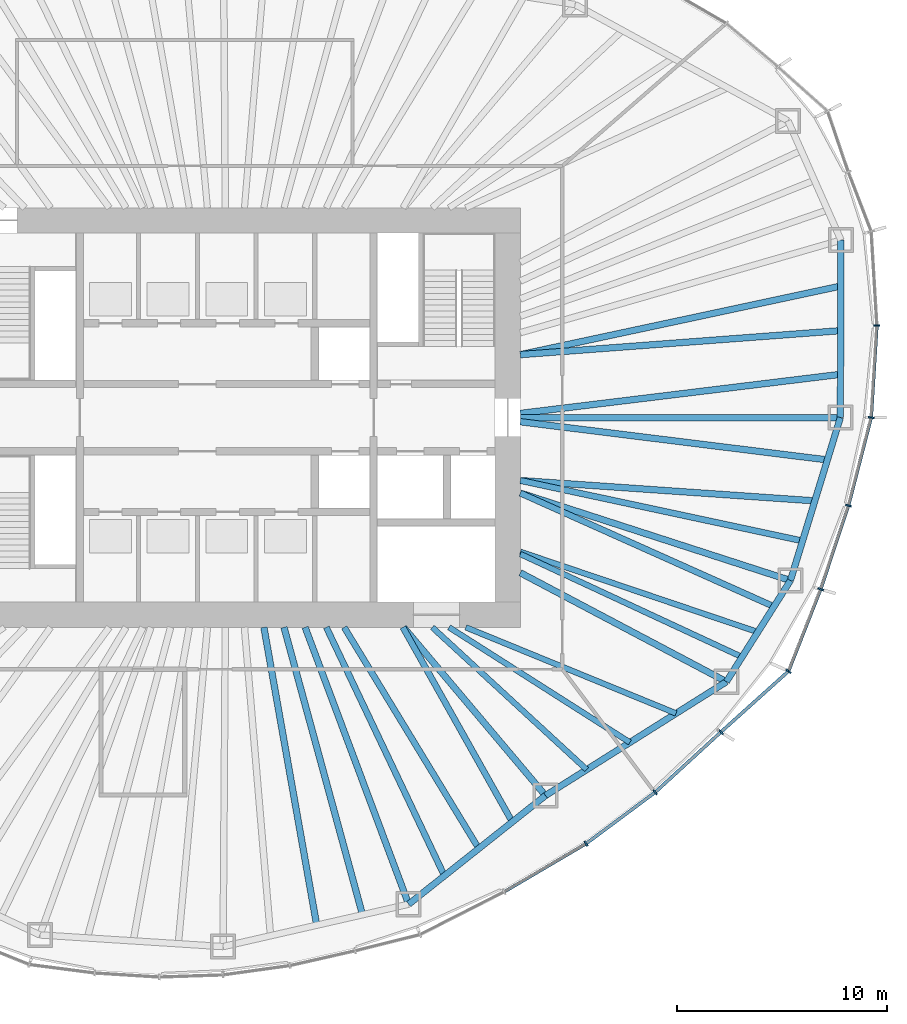
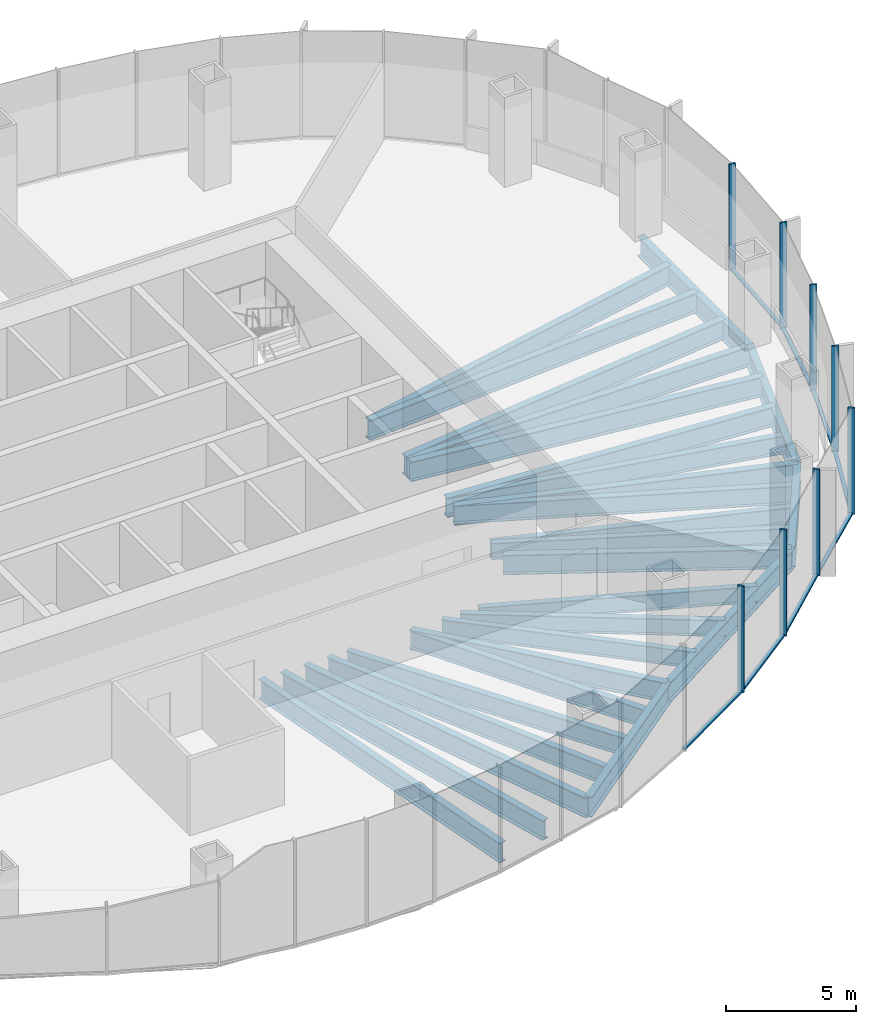
# One storey, part 4 of 18: 27 beams, 16 members, 5 elements without a shape of their own.
"""IFC4 building model written with IfcOpenShell, lengths in metres."""

import ifcopenshell
import ifcopenshell.guid

model = None  # the IFC model being written
_history = None  # IfcOwnerHistory: only IFC2X3 demands one
_inside = {}  # id of a spatial element -> (the spatial element, [elements in it])
_under = {}  # id of a project, library or spatial element -> (it, [spatial elements below it])
_declared = {}  # id of a project -> (the project, [libraries it declares])
_typed = {}  # id of a type object -> (the type object, [elements of that type])
_made_of = {}  # id of a material, layer set ... -> (it, [elements and type objects made of it])


def new_model(schema):
    """Start an empty IFC model of exactly this schema.

    Asked for "IFC4X3", IfcOpenShell would pick the latest addendum, in which some entities
    have other attributes; the version numbers below select the first issue.
    IFC2X3 requires an IfcOwnerHistory on every rooted entity: one is made here for all.
    """
    global model, _history
    if schema == "IFC4X3":
        model = ifcopenshell.file(schema_version=(4, 3, 0, 0))
    else:
        model = ifcopenshell.file(schema=schema)
    _inside.clear()
    _under.clear()
    _declared.clear()
    _typed.clear()
    _made_of.clear()
    _history = None
    if model.schema == "IFC2X3":
        org = make("IfcOrganization", Name="unknown")
        user = make(
            "IfcPersonAndOrganization",
            ThePerson=make("IfcPerson", FamilyName="unknown"),
            TheOrganization=org,
        )
        app = make(
            "IfcApplication",
            ApplicationDeveloper=org,
            Version="unknown",
            ApplicationFullName="unknown",
            ApplicationIdentifier="unknown",
        )
        _history = make(
            "IfcOwnerHistory",
            OwningUser=user,
            OwningApplication=app,
            ChangeAction="ADDED",
            CreationDate=0,
        )
    return model


def make(cls, **values):
    """One entity of the class cls with the attributes given. An attribute that is None is left unset."""
    return model.create_entity(
        cls, **{name: value for name, value in values.items() if value is not None}
    )


def rooted(cls, **values):
    """An entity with a GlobalId (a new one), such as an element, a storey or a relation."""
    return make(cls, GlobalId=ifcopenshell.guid.new(), OwnerHistory=_history, **values)


def si_unit(unit_type, name, prefix=None):
    """IfcSIUnit, for example si_unit("LENGTHUNIT", "METRE", prefix="MILLI")."""
    return make("IfcSIUnit", UnitType=unit_type, Prefix=prefix, Name=name)


def assignment(units):
    """IfcUnitAssignment: the units of a project."""
    return None if units is None else make("IfcUnitAssignment", Units=units)


def point(xyz):
    """IfcCartesianPoint."""
    return None if xyz is None else make("IfcCartesianPoint", Coordinates=xyz)


def direction(xyz):
    """IfcDirection."""
    return None if xyz is None else make("IfcDirection", DirectionRatios=xyz)


def frame(location, z_axis=None, x_axis=None):
    """IfcAxis2Placement3D, a coordinate frame: its origin and axes. An axis left out is left unset."""
    return make(
        "IfcAxis2Placement3D",
        Location=point(location),
        Axis=direction(z_axis),
        RefDirection=direction(x_axis),
    )


def frame_2d(location, x_axis=None):
    """IfcAxis2Placement2D, a coordinate frame in the plane: its origin and x axis."""
    return make(
        "IfcAxis2Placement2D", Location=point(location), RefDirection=direction(x_axis)
    )


def origin():
    """The frame at (0, 0, 0) with its axes left unset."""
    return frame((0.0, 0.0, 0.0))


def origin_2d():
    """The frame at (0, 0) in the plane with its x axis left unset."""
    return frame_2d((0.0, 0.0))


def place(relative_to, where):
    """IfcLocalPlacement: puts the frame where relative to a parent placement (None: the world)."""
    return make(
        "IfcLocalPlacement", PlacementRelTo=relative_to, RelativePlacement=where
    )


def context(
    kind, dimensions, precision=None, world=None, true_north=None, identifier=None
):
    """IfcGeometricRepresentationContext, for example the 3D "Model" context."""
    return make(
        "IfcGeometricRepresentationContext",
        ContextIdentifier=identifier,
        ContextType=kind,
        CoordinateSpaceDimension=dimensions,
        Precision=precision,
        WorldCoordinateSystem=world,
        TrueNorth=true_north,
    )


def subcontext(parent, identifier, kind, view, scale=None):
    """IfcGeometricRepresentationSubContext, for example "Body" below "Model"."""
    return make(
        "IfcGeometricRepresentationSubContext",
        ContextIdentifier=identifier,
        ContextType=kind,
        ParentContext=parent,
        TargetScale=scale,
        TargetView=view,
    )


def project(units=None, contexts=None):
    """IfcProject with its units and contexts."""
    return rooted(
        "IfcProject",
        Name="project",
        RepresentationContexts=contexts,
        UnitsInContext=assignment(units),
    )


def spatial(cls, under=None, at=None, **own):
    """A site, building, storey or space (cls), placed at a placement, below another one or the project."""
    s = rooted(cls, ObjectPlacement=at, **own)
    if under is not None:
        _under.setdefault(under.id(), (under, []))[1].append(s)
    return s


def profile(cls, at=None, kind="AREA", **sizes):
    """A parametric profile (cls). Its sizes go by their IFC names, for example OverallWidth=200.0."""
    return make(cls, ProfileType=kind, Position=at, **sizes)


def rectangle(**sizes):
    """IfcRectangleProfileDef."""
    return profile("IfcRectangleProfileDef", **sizes)


def i_section(**sizes):
    """IfcIShapeProfileDef."""
    return profile("IfcIShapeProfileDef", **sizes)


def extrude(swept, where, along, depth):
    """IfcExtrudedAreaSolid: the profile swept, set in the frame where, extruded along a direction by depth."""
    return make(
        "IfcExtrudedAreaSolid",
        SweptArea=swept,
        Position=where,
        ExtrudedDirection=direction(along),
        Depth=depth,
    )


def shape(context_of_items, identifier, shape_type, items):
    """IfcShapeRepresentation: the items that make up one representation, for example the "Body"."""
    return make(
        "IfcShapeRepresentation",
        ContextOfItems=context_of_items,
        RepresentationIdentifier=identifier,
        RepresentationType=shape_type,
        Items=items,
    )


def material(Name=None, Category=None):
    """IfcMaterial."""
    return make("IfcMaterial", Name=Name, Category=Category)


def material_profile(
    of_material, cross_section, Name=None, Category=None, Priority=None
):
    """IfcMaterialProfile: a cross section and its material."""
    return make(
        "IfcMaterialProfile",
        Name=Name,
        Material=of_material,
        Profile=cross_section,
        Priority=Priority,
        Category=Category,
    )


def profile_set(profiles, Name=None, composite=None):
    """IfcMaterialProfileSet."""
    return make(
        "IfcMaterialProfileSet",
        Name=Name,
        MaterialProfiles=profiles,
        CompositeProfile=composite,
    )


def made_of(thing, what):
    """Note that an element or type object is made of a material, layer set ...; save() writes the relation."""
    if what is not None:
        _made_of.setdefault(what.id(), (what, []))[1].append(thing)
    return thing


def type_object(cls, material=None, **own):
    """A type object (cls), such as IfcWallType, which elements share."""
    return made_of(rooted(cls, **own), material)


def element(
    cls,
    number,
    at=None,
    inside=None,
    cuts=None,
    type_object=None,
    material=None,
    context=None,
    identifier="Body",
    shape_type=None,
    held_by="IfcProductDefinitionShape",
    body=None,
    shapes=None,
    **own,
):
    """One element of the class cls, such as IfcWall. Its Tag is "e" and its number.

    at: its placement. inside: the storey or other place that contains it. cuts: it is an
    opening in that element (IfcRelVoidsElement). A single representation is given by context,
    identifier, shape_type and body (its items); several are given by shapes. held_by: the class
    of the entity that holds the representations. save() writes the other relations.
    """
    e = rooted(cls, Tag="e%d" % number, ObjectPlacement=at, **own)
    if body is not None:
        shapes = [shape(context, identifier, shape_type, body)]
    if shapes is not None:
        e.Representation = make(held_by, Representations=shapes)
    if inside is not None:
        _inside.setdefault(inside.id(), (inside, []))[1].append(e)
    if cuts is not None:
        rooted(
            "IfcRelVoidsElement", RelatingBuildingElement=cuts, RelatedOpeningElement=e
        )
    if type_object is not None:
        _typed.setdefault(type_object.id(), (type_object, []))[1].append(e)
    return made_of(e, material)


def aggregate(whole, parts):
    """IfcRelAggregates: a whole, such as a stair, and the parts it consists of."""
    return rooted("IfcRelAggregates", RelatingObject=whole, RelatedObjects=parts)


def save(model, path):
    """Write the relations noted so far, then the file.

    IfcRelAggregates (storeys below a building ...), IfcRelContainedInSpatialStructure (elements
    in a storey), IfcRelDefinesByType, IfcRelAssociatesMaterial and IfcRelDeclares: one each for
    every whole, place, type object, material and project.
    """
    for whole, parts in _under.values():
        aggregate(whole, parts)
    for where, things in _inside.values():
        rooted(
            "IfcRelContainedInSpatialStructure",
            RelatedElements=things,
            RelatingStructure=where,
        )
    for kind, things in _typed.values():
        rooted("IfcRelDefinesByType", RelatedObjects=things, RelatingType=kind)
    for what, things in _made_of.values():
        rooted("IfcRelAssociatesMaterial", RelatedObjects=things, RelatingMaterial=what)
    for by, libraries in _declared.values():
        rooted("IfcRelDeclares", RelatingContext=by, RelatedDefinitions=libraries)
    model.write(path)


model = new_model("IFC4")

# Units and contexts
model_context = context("Model", 3, precision=1e-05, world=origin(), true_north=direction((0.0, 1.0)))
body_context = subcontext(model_context, "Body", "Model", "MODEL_VIEW")
ifc_project = project(units=[si_unit("LENGTHUNIT", "METRE"), si_unit("AREAUNIT", "SQUARE_METRE"), si_unit("VOLUMEUNIT", "CUBIC_METRE"), si_unit("PLANEANGLEUNIT", "RADIAN"), si_unit("MASSUNIT", "GRAM", prefix="KILO")], contexts=[model_context])

# Site, building, storey
site_placement = place(None, origin())
site = spatial("IfcSite", under=ifc_project, at=site_placement, CompositionType="ELEMENT")
building_placement = place(site_placement, origin())
building = spatial("IfcBuilding", under=site, at=building_placement, Name="Ghaith Harvest Tower", CompositionType="ELEMENT")
storey_placement = place(building_placement, frame((0.0, 0.0, 184.800048828125)))
storey = spatial("IfcBuildingStorey", under=building, at=storey_placement, Name="L40", CompositionType="ELEMENT", Elevation=184.800048828125)

# Curtain wall, members
ifc_material_1 = material(Name="Black anodised aluminium and fritted glass", Category="aluminium")
curtain_wall_type = type_object("IfcCurtainWallType", Name="CW-S CURTAIN WALL", PredefinedType="NOTDEFINED", material=ifc_material_1)
curtain_wall_1_placement = place(storey_placement, origin())
curtain_wall_1 = element("IfcCurtainWall", 1, at=curtain_wall_1_placement, inside=storey, type_object=curtain_wall_type, Name="Curtain wall CW-S bay 01 L40", PredefinedType="NOTDEFINED")
ifc_material_2 = material(Name="Aluminium, black anodised", Category="aluminium")
ifc_material_profile_1 = material_profile(ifc_material_2, rectangle(XDim=0.080078125, YDim=0.280029296875, at=origin_2d()), Name="CW-S MULLION 80x280")
ifc_profile_set_1 = profile_set([ifc_material_profile_1], Name="Aluminium, black anodised")
member_type_1 = type_object("IfcMemberType", Name="CW-S MULLION 80x280", PredefinedType="MULLION", material=ifc_profile_set_1)
member_1_placement = place(storey_placement, frame((30.728759765625, 0.0, 0.0), z_axis=(0.0, 0.0, 1.0), x_axis=(0.155597142981, 0.987820595602, 0.0)))
member_1 = element("IfcMember", 2, at=member_1_placement, type_object=member_type_1, Name="CW-S mullion 1 bay 01 L40", PredefinedType="MULLION", context=body_context, shape_type="SweptSolid", body=[
    extrude(rectangle(XDim=0.080078125, YDim=0.280029296875, at=origin_2d()), origin(), (0.0, 0.0, 1.0), 5.0),
])
member_2_placement = place(storey_placement, frame((30.998779296875, 4.389892578125, 0.0), z_axis=(0.0, 0.0, 1.0), x_axis=(-0.000162467394, 0.999999986802, 0.0)))
member_2 = element("IfcMember", 3, at=member_2_placement, type_object=member_type_1, Name="CW-S mullion 2 bay 01 L40", PredefinedType="MULLION", context=body_context, shape_type="SweptSolid", body=[
    extrude(rectangle(XDim=0.080078125, YDim=0.280029296875, at=origin_2d()), origin(), (0.0, 0.0, 1.0), 5.0),
])

curtain_wall_2_placement = place(storey_placement, origin())
curtain_wall_2 = element("IfcCurtainWall", 4, at=curtain_wall_2_placement, inside=storey, type_object=curtain_wall_type, Name="Curtain wall CW-S bay 18 L40", PredefinedType="NOTDEFINED")
member_3_placement = place(storey_placement, frame((17.1318359375, -20.31591796875, 0.0), z_axis=(0.0, 0.0, 1.0), x_axis=(0.834887453241, 0.550420694035, 0.0)))
member_3 = element("IfcMember", 5, at=member_3_placement, type_object=member_type_1, Name="CW-S mullion 1 bay 18 L40", PredefinedType="MULLION", context=body_context, shape_type="SweptSolid", body=[
    extrude(rectangle(XDim=0.080078125, YDim=0.280029296875, at=origin_2d()), origin(), (0.0, 0.0, 1.0), 5.0),
])
member_4_placement = place(storey_placement, frame((20.4296875, -17.86376953125, 0.0), z_axis=(0.0, 0.0, 1.0), x_axis=(0.770306399656, 0.637673937564, 0.0)))
member_4 = element("IfcMember", 6, at=member_4_placement, type_object=member_type_1, Name="CW-S mullion 2 bay 18 L40", PredefinedType="MULLION", context=body_context, shape_type="SweptSolid", body=[
    extrude(rectangle(XDim=0.080078125, YDim=0.280029296875, at=origin_2d()), origin(), (0.0, 0.0, 1.0), 5.0),
])

curtain_wall_3_placement = place(storey_placement, origin())
curtain_wall_3 = element("IfcCurtainWall", 7, at=curtain_wall_3_placement, inside=storey, type_object=curtain_wall_type, Name="Curtain wall CW-S bay 19 L40", PredefinedType="NOTDEFINED")
member_5_placement = place(storey_placement, frame((23.560546875, -14.994140625, 0.0), z_axis=(0.0, 0.0, 1.0), x_axis=(0.740389054945, 0.672178582906, 0.0)))
member_5 = element("IfcMember", 8, at=member_5_placement, type_object=member_type_1, Name="CW-S mullion 1 bay 19 L40", PredefinedType="MULLION", context=body_context, shape_type="SweptSolid", body=[
    extrude(rectangle(XDim=0.080078125, YDim=0.280029296875, at=origin_2d()), origin(), (0.0, 0.0, 1.0), 5.0),
])
member_6_placement = place(storey_placement, frame((26.786376953125, -12.0927734375, 0.0), z_axis=(0.0, 0.0, 1.0), x_axis=(0.572853476908, 0.819657790785, 0.0)))
member_6 = element("IfcMember", 9, at=member_6_placement, type_object=member_type_1, Name="CW-S mullion 2 bay 19 L40", PredefinedType="MULLION", context=body_context, shape_type="SweptSolid", body=[
    extrude(rectangle(XDim=0.080078125, YDim=0.280029296875, at=origin_2d()), origin(), (0.0, 0.0, 1.0), 5.0),
])

curtain_wall_4_placement = place(storey_placement, origin())
curtain_wall_4 = element("IfcCurtainWall", 10, at=curtain_wall_4_placement, inside=storey, type_object=curtain_wall_type, Name="Curtain wall CW-S bay 20 L40", PredefinedType="NOTDEFINED")
member_7_placement = place(storey_placement, frame((28.319580078125, -8.184814453125, 0.0), z_axis=(0.0, 0.0, 1.0), x_axis=(0.34057402484, 0.94021770543, 0.0)))
member_7 = element("IfcMember", 11, at=member_7_placement, type_object=member_type_1, Name="CW-S mullion 1 bay 20 L40", PredefinedType="MULLION", context=body_context, shape_type="SweptSolid", body=[
    extrude(rectangle(XDim=0.080078125, YDim=0.280029296875, at=origin_2d()), origin(), (0.0, 0.0, 1.0), 5.0),
])
member_8_placement = place(storey_placement, frame((29.64599609375, -4.1982421875, 0.0), z_axis=(0.0, 0.0, 1.0), x_axis=(0.282375140161, 0.959304060358, 0.0)))
member_8 = element("IfcMember", 12, at=member_8_placement, type_object=member_type_1, Name="CW-S mullion 2 bay 20 L40", PredefinedType="MULLION", context=body_context, shape_type="SweptSolid", body=[
    extrude(rectangle(XDim=0.080078125, YDim=0.280029296875, at=origin_2d()), origin(), (0.0, 0.0, 1.0), 5.0),
])

# Member
ifc_material_3 = material(Name="Aluminium, black anodised", Category="aluminium")
ifc_material_profile_2 = material_profile(ifc_material_3, rectangle(XDim=0.159912109375, YDim=0.080078125, at=origin_2d()), Name="CW-S TRANSOM 160x80")
ifc_profile_set_2 = profile_set([ifc_material_profile_2], Name="Aluminium, black anodised")
member_type_2 = type_object("IfcMemberType", Name="CW-S TRANSOM 160x80", PredefinedType="USERDEFINED", material=ifc_profile_set_2)
member_9_placement = place(storey_placement, frame((30.731201171875, 0.0400390625, 0.0400390625), z_axis=(0.061403204251, 0.99811304295, 0.0), x_axis=(-0.99811304295, 0.061403204251, 0.0)))
member_9 = element("IfcMember", 13, at=member_9_placement, type_object=member_type_2, Name="CW-S transom 1 bay 01 L40", ObjectType="TRANSOM", PredefinedType="USERDEFINED", context=body_context, shape_type="SweptSolid", body=[
    extrude(rectangle(XDim=0.159912109375, YDim=0.080078125, at=origin_2d()), origin(), (0.0, 0.0, 1.0), 4.31787109375),
])

aggregate(curtain_wall_1, [member_1, member_9, member_2])

# Curtain wall, member
curtain_wall_5_placement = place(storey_placement, origin())
curtain_wall_5 = element("IfcCurtainWall", 14, at=curtain_wall_5_placement, inside=storey, type_object=curtain_wall_type, Name="Curtain wall CW-S bay 17 L40", PredefinedType="NOTDEFINED")
member_10_placement = place(storey_placement, frame((13.259033203125, -22.59375, 0.0400390625), z_axis=(0.86196381091, 0.506969810424, 0.0), x_axis=(-0.506969810424, 0.86196381091, 0.0)))
member_10 = element("IfcMember", 15, at=member_10_placement, type_object=member_type_2, Name="CW-S transom 2 bay 17 L40", ObjectType="TRANSOM", PredefinedType="USERDEFINED", context=body_context, shape_type="SweptSolid", body=[
    extrude(rectangle(XDim=0.159912109375, YDim=0.080078125, at=origin_2d()), origin(), (0.0, 0.0, 1.0), 4.453125),
])
aggregate(curtain_wall_5, [member_10])

# Member
member_11_placement = place(storey_placement, frame((17.1640625, -20.2919921875, 0.0400390625), z_axis=(0.802465316609, 0.59669876457, 0.0), x_axis=(-0.59669876457, 0.802465316609, 0.0)))
member_11 = element("IfcMember", 16, at=member_11_placement, type_object=member_type_2, Name="CW-S transom 1 bay 18 L40", ObjectType="TRANSOM", PredefinedType="USERDEFINED", context=body_context, shape_type="SweptSolid", body=[
    extrude(rectangle(XDim=0.159912109375, YDim=0.080078125, at=origin_2d()), origin(), (0.0, 0.0, 1.0), 4.029296875),
])

member_12_placement = place(storey_placement, frame((20.459228515625, -17.836669921875, 0.0400390625), z_axis=(0.737197916434, 0.675676869521, 0.0), x_axis=(-0.675676869521, 0.737197916434, 0.0)))
member_12 = element("IfcMember", 17, at=member_12_placement, type_object=member_type_2, Name="CW-S transom 2 bay 18 L40", ObjectType="TRANSOM", PredefinedType="USERDEFINED", context=body_context, shape_type="SweptSolid", body=[
    extrude(rectangle(XDim=0.159912109375, YDim=0.080078125, at=origin_2d()), origin(), (0.0, 0.0, 1.0), 4.166748046875),
])

aggregate(curtain_wall_2, [member_3, member_11, member_4, member_12])

member_13_placement = place(storey_placement, frame((23.59033203125, -14.967529296875, 0.0400390625), z_axis=(0.74346800111, 0.668771509056, 0.0), x_axis=(-0.668771509056, 0.74346800111, 0.0)))
member_13 = element("IfcMember", 18, at=member_13_placement, type_object=member_type_2, Name="CW-S transom 1 bay 19 L40", ObjectType="TRANSOM", PredefinedType="USERDEFINED", context=body_context, shape_type="SweptSolid", body=[
    extrude(rectangle(XDim=0.159912109375, YDim=0.080078125, at=origin_2d()), origin(), (0.0, 0.0, 1.0), 4.2587890625),
])

member_14_placement = place(storey_placement, frame((26.801025390625, -12.055419921875, 0.0400390625), z_axis=(0.365228588652, 0.930917868575, 0.0), x_axis=(-0.930917868575, 0.365228588652, 0.0)))
member_14 = element("IfcMember", 19, at=member_14_placement, type_object=member_type_2, Name="CW-S transom 2 bay 19 L40", ObjectType="TRANSOM", PredefinedType="USERDEFINED", context=body_context, shape_type="SweptSolid", body=[
    extrude(rectangle(XDim=0.159912109375, YDim=0.080078125, at=origin_2d()), origin(), (0.0, 0.0, 1.0), 4.11767578125),
])

aggregate(curtain_wall_3, [member_5, member_13, member_6, member_14])

member_15_placement = place(storey_placement, frame((28.33203125, -8.14697265625, 0.0400390625), z_axis=(0.315712391444, 0.948854934059, 0.0), x_axis=(-0.948854934059, 0.315712391444, 0.0)))
member_15 = element("IfcMember", 20, at=member_15_placement, type_object=member_type_2, Name="CW-S transom 1 bay 20 L40", ObjectType="TRANSOM", PredefinedType="USERDEFINED", context=body_context, shape_type="SweptSolid", body=[
    extrude(rectangle(XDim=0.159912109375, YDim=0.080078125, at=origin_2d()), origin(), (0.0, 0.0, 1.0), 4.12158203125),
])

member_16_placement = place(storey_placement, frame((29.656005859375, -4.159423828125, 0.0400390625), z_axis=(0.249737470584, 0.968313583395, 0.0), x_axis=(-0.968313583395, 0.249737470584, 0.0)))
member_16 = element("IfcMember", 21, at=member_16_placement, type_object=member_type_2, Name="CW-S transom 2 bay 20 L40", ObjectType="TRANSOM", PredefinedType="USERDEFINED", context=body_context, shape_type="SweptSolid", body=[
    extrude(rectangle(XDim=0.159912109375, YDim=0.080078125, at=origin_2d()), origin(), (0.0, 0.0, 1.0), 4.25537109375),
])

aggregate(curtain_wall_4, [member_7, member_15, member_8, member_16])

# Beams
ifc_material_4 = material(Name="Steel ASTM A992 Grade 50", Category="steel")
ifc_material_profile_3 = material_profile(ifc_material_4, i_section(OverallWidth=0.306884765625, OverallDepth=0.94189453125, WebThickness=0.022216796875, FlangeThickness=0.039794921875, at=origin_2d()), Name="W920X345")
ifc_profile_set_3 = profile_set([ifc_material_profile_3], Name="Steel ASTM A992 Grade 50")
beam_type_1 = type_object("IfcBeamType", Name="E920-345 W920X345", PredefinedType="SPANDREL", material=ifc_profile_set_3)
beam_1_placement = place(storey_placement, frame((29.259033203125, 0.0, -0.696044921875), z_axis=(0.003172847394, 0.999994966507, 0.0), x_axis=(-0.999994966507, 0.003172847394, 0.0)))
element("IfcBeam", 22, at=beam_1_placement, inside=storey, type_object=beam_type_1, Name="Edge beam E01 L40", PredefinedType="SPANDREL", context=body_context, shape_type="SweptSolid", body=[
    extrude(i_section(OverallWidth=0.306884765625, OverallDepth=0.94189453125, WebThickness=0.022216796875, FlangeThickness=0.039794921875, at=origin_2d()), origin(), (0.0, 0.0, 1.0), 8.464111328125),
])
beam_2_placement = place(storey_placement, frame((8.674072265625, -23.202880859375, -0.696044921875), z_axis=(0.783159540917, 0.621820821033, 0.0), x_axis=(-0.621820821033, 0.783159540917, 0.0)))
element("IfcBeam", 23, at=beam_2_placement, inside=storey, type_object=beam_type_1, Name="Edge beam E17 L40", PredefinedType="SPANDREL", context=body_context, shape_type="SweptSolid", body=[
    extrude(i_section(OverallWidth=0.306884765625, OverallDepth=0.94189453125, WebThickness=0.022216796875, FlangeThickness=0.039794921875, at=origin_2d()), origin(), (0.0, 0.0, 1.0), 8.330322265625),
])
beam_3_placement = place(storey_placement, frame((15.197998046875, -18.02294921875, -0.696044921875), z_axis=(0.846385185363, 0.532571232793, 0.0), x_axis=(-0.532571232793, 0.846385185363, 0.0)))
element("IfcBeam", 24, at=beam_3_placement, inside=storey, type_object=beam_type_1, Name="Edge beam E18 L40", PredefinedType="SPANDREL", context=body_context, shape_type="SweptSolid", body=[
    extrude(i_section(OverallWidth=0.306884765625, OverallDepth=0.94189453125, WebThickness=0.022216796875, FlangeThickness=0.039794921875, at=origin_2d()), origin(), (0.0, 0.0, 1.0), 10.19384765625),
])
beam_4_placement = place(storey_placement, frame((23.825927734375, -12.593994140625, -0.696044921875), z_axis=(0.534499624093, 0.845168712059, 0.0), x_axis=(-0.845168712059, 0.534499624093, 0.0)))
element("IfcBeam", 25, at=beam_4_placement, inside=storey, type_object=beam_type_1, Name="Edge beam E19 L40", PredefinedType="SPANDREL", context=body_context, shape_type="SweptSolid", body=[
    extrude(i_section(OverallWidth=0.306884765625, OverallDepth=0.94189453125, WebThickness=0.022216796875, FlangeThickness=0.039794921875, at=origin_2d()), origin(), (0.0, 0.0, 1.0), 5.7099609375),
])
beam_5_placement = place(storey_placement, frame((26.8779296875, -7.76806640625, -0.696044921875), z_axis=(0.293065809375, 0.956092271371, 0.0), x_axis=(-0.956092271371, 0.293065809375, 0.0)))
element("IfcBeam", 26, at=beam_5_placement, inside=storey, type_object=beam_type_1, Name="Edge beam E20 L40", PredefinedType="SPANDREL", context=body_context, shape_type="SweptSolid", body=[
    extrude(i_section(OverallWidth=0.306884765625, OverallDepth=0.94189453125, WebThickness=0.022216796875, FlangeThickness=0.039794921875, at=origin_2d()), origin(), (0.0, 0.0, 1.0), 8.124755859375),
])
ifc_material_5 = material(Name="Steel ASTM A992 Grade 50", Category="steel")
ifc_material_profile_4 = material_profile(ifc_material_5, i_section(OverallWidth=0.31005859375, OverallDepth=0.927001953125, WebThickness=0.019287109375, FlangeThickness=0.031982421875, at=origin_2d()), Name="W920X289")
ifc_profile_set_4 = profile_set([ifc_material_profile_4], Name="Steel ASTM A992 Grade 50")
beam_type_2 = type_object("IfcBeamType", Name="G920-289 W920X289", PredefinedType="BEAM", material=ifc_profile_set_4)
beam_6_placement = place(storey_placement, frame((8.4326171875, -10.0, -0.6884765625), z_axis=(0.644649240595, -0.764478486682, 0.0), x_axis=(0.764478486682, 0.644649240595, 0.0)))
element("IfcBeam", 27, at=beam_6_placement, inside=storey, type_object=beam_type_2, Name="Radial girder G18 L40", PredefinedType="BEAM", context=body_context, shape_type="SweptSolid", body=[
    extrude(i_section(OverallWidth=0.31005859375, OverallDepth=0.927001953125, WebThickness=0.019287109375, FlangeThickness=0.031982421875, at=origin_2d()), origin(), (0.0, 0.0, 1.0), 10.49462890625),
])
beam_7_placement = place(storey_placement, frame((14.0, -7.39990234375, -0.6884765625), z_axis=(0.884080549082, -0.467334551189, 0.0), x_axis=(0.467334551189, 0.884080549082, 0.0)))
element("IfcBeam", 28, at=beam_7_placement, inside=storey, type_object=beam_type_2, Name="Radial girder G19 L40", PredefinedType="BEAM", context=body_context, shape_type="SweptSolid", body=[
    extrude(i_section(OverallWidth=0.31005859375, OverallDepth=0.927001953125, WebThickness=0.019287109375, FlangeThickness=0.031982421875, at=origin_2d()), origin(), (0.0, 0.0, 1.0), 11.1142578125),
])
beam_8_placement = place(storey_placement, frame((14.0, -3.60009765625, -0.6884765625), z_axis=(0.951410331565, -0.307925934262, 0.0), x_axis=(0.307925934262, 0.951410331565, 0.0)))
element("IfcBeam", 29, at=beam_8_placement, inside=storey, type_object=beam_type_2, Name="Radial girder G20 L40", PredefinedType="BEAM", context=body_context, shape_type="SweptSolid", body=[
    extrude(i_section(OverallWidth=0.31005859375, OverallDepth=0.927001953125, WebThickness=0.019287109375, FlangeThickness=0.031982421875, at=origin_2d()), origin(), (0.0, 0.0, 1.0), 13.53564453125),
])
ifc_material_6 = material(Name="Steel ASTM A992 Grade 50", Category="steel")
ifc_material_profile_5 = material_profile(ifc_material_6, i_section(OverallWidth=0.306884765625, OverallDepth=0.94189453125, WebThickness=0.022216796875, FlangeThickness=0.039794921875, at=origin_2d()), Name="W920X345")
ifc_profile_set_5 = profile_set([ifc_material_profile_5], Name="Steel ASTM A992 Grade 50")
beam_type_3 = type_object("IfcBeamType", Name="G920-345 W920X345", PredefinedType="BEAM", material=ifc_profile_set_5)
beam_9_placement = place(storey_placement, frame((14.0, 0.0, -0.696044921875), z_axis=(1.0, 0.0, 0.0), x_axis=(0.0, 1.0, 0.0)))
element("IfcBeam", 30, at=beam_9_placement, inside=storey, type_object=beam_type_3, Name="Radial girder G01 L40", PredefinedType="BEAM", context=body_context, shape_type="SweptSolid", body=[
    extrude(i_section(OverallWidth=0.306884765625, OverallDepth=0.94189453125, WebThickness=0.022216796875, FlangeThickness=0.039794921875, at=origin_2d()), origin(), (0.0, 0.0, 1.0), 15.259033203125),
])
beam_10_placement = place(storey_placement, frame((3.73828125, -10.0, -0.696044921875), z_axis=(0.350172283717, -0.936685310932, 0.0), x_axis=(0.936685310932, 0.350172283717, 0.0)))
element("IfcBeam", 31, at=beam_10_placement, inside=storey, type_object=beam_type_3, Name="Radial girder G17 L40", PredefinedType="BEAM", context=body_context, shape_type="SweptSolid", body=[
    extrude(i_section(OverallWidth=0.306884765625, OverallDepth=0.94189453125, WebThickness=0.022216796875, FlangeThickness=0.039794921875, at=origin_2d()), origin(), (0.0, 0.0, 1.0), 14.09521484375),
])
ifc_material_7 = material(Name="Steel ASTM A992 Grade 50", Category="steel")
ifc_material_profile_6 = material_profile(ifc_material_7, i_section(OverallWidth=0.26806640625, OverallDepth=0.77001953125, WebThickness=0.015625, FlangeThickness=0.025390625, at=origin_2d()), Name="W760X196")
ifc_profile_set_6 = profile_set([ifc_material_profile_6], Name="Steel ASTM A992 Grade 50")
beam_type_4 = type_object("IfcBeamType", Name="J760-196 W760X196", PredefinedType="JOIST", material=ifc_profile_set_6)
beam_11_placement = place(storey_placement, frame((9.800048828125, -10.0, -0.610107421875), z_axis=(0.735441512033, -0.677588210035, 0.0), x_axis=(0.677588210035, 0.735441512033, 0.0)))
element("IfcBeam", 32, at=beam_11_placement, inside=storey, type_object=beam_type_4, Name="Joist J18.1 L40", PredefinedType="JOIST", context=body_context, shape_type="SweptSolid", body=[
    extrude(i_section(OverallWidth=0.26806640625, OverallDepth=0.77001953125, WebThickness=0.015625, FlangeThickness=0.025390625, at=origin_2d()), origin(), (0.0, 0.0, 1.0), 10.01416015625),
])
beam_12_placement = place(storey_placement, frame((10.60009765625, -10.0, -0.610107421875), z_axis=(0.843584777848, -0.536996017288, 0.0), x_axis=(0.536996017288, 0.843584777848, 0.0)))
element("IfcBeam", 33, at=beam_12_placement, inside=storey, type_object=beam_type_4, Name="Joist J18.2 L40", PredefinedType="JOIST", context=body_context, shape_type="SweptSolid", body=[
    extrude(i_section(OverallWidth=0.26806640625, OverallDepth=0.77001953125, WebThickness=0.015625, FlangeThickness=0.025390625, at=origin_2d()), origin(), (0.0, 0.0, 1.0), 10.22314453125),
])
beam_13_placement = place(storey_placement, frame((11.39990234375, -10.0, -0.610107421875), z_axis=(0.925406878607, -0.378975077053, 0.0), x_axis=(0.378975077053, 0.925406878607, 0.0)))
element("IfcBeam", 34, at=beam_13_placement, inside=storey, type_object=beam_type_4, Name="Joist J18.3 L40", PredefinedType="JOIST", context=body_context, shape_type="SweptSolid", body=[
    extrude(i_section(OverallWidth=0.26806640625, OverallDepth=0.77001953125, WebThickness=0.015625, FlangeThickness=0.025390625, at=origin_2d()), origin(), (0.0, 0.0, 1.0), 10.83251953125),
])
beam_14_placement = place(storey_placement, frame((14.0, -6.506103515625, -0.610107421875), z_axis=(0.906863188232, -0.421425150922, 0.0), x_axis=(0.421425150922, 0.906863188232, 0.0)))
element("IfcBeam", 35, at=beam_14_placement, inside=storey, type_object=beam_type_4, Name="Joist J19.1 L40", PredefinedType="JOIST", context=body_context, shape_type="SweptSolid", body=[
    extrude(i_section(OverallWidth=0.26806640625, OverallDepth=0.77001953125, WebThickness=0.015625, FlangeThickness=0.025390625, at=origin_2d()), origin(), (0.0, 0.0, 1.0), 11.6552734375),
])
beam_15_placement = place(storey_placement, frame((14.0, -6.39990234375, -0.610107421875), z_axis=(0.947372072272, -0.320134591508, 0.0), x_axis=(0.320134591508, 0.947372072272, 0.0)))
element("IfcBeam", 36, at=beam_15_placement, inside=storey, type_object=beam_type_4, Name="Joist J19.2 L40", PredefinedType="JOIST", context=body_context, shape_type="SweptSolid", body=[
    extrude(i_section(OverallWidth=0.26806640625, OverallDepth=0.77001953125, WebThickness=0.015625, FlangeThickness=0.025390625, at=origin_2d()), origin(), (0.0, 0.0, 1.0), 11.95263671875),
])
ifc_material_8 = material(Name="Steel ASTM A992 Grade 50", Category="steel")
ifc_material_profile_7 = material_profile(ifc_material_8, i_section(OverallWidth=0.2939453125, OverallDepth=0.85107421875, WebThickness=0.01611328125, FlangeThickness=0.02685546875, at=origin_2d()), Name="W840X226")
ifc_profile_set_7 = profile_set([ifc_material_profile_7], Name="Steel ASTM A992 Grade 50")
beam_type_5 = type_object("IfcBeamType", Name="J840-226 W840X226", PredefinedType="JOIST", material=ifc_profile_set_7)
beam_16_placement = place(storey_placement, frame((4.75, -10.0, -0.650634765625), z_axis=(0.429062888327, -0.903274619294, 0.0), x_axis=(0.903274619294, 0.429062888327, 0.0)))
element("IfcBeam", 37, at=beam_16_placement, inside=storey, type_object=beam_type_5, Name="Joist J17.1 L40", PredefinedType="JOIST", context=body_context, shape_type="SweptSolid", body=[
    extrude(i_section(OverallWidth=0.2939453125, OverallDepth=0.85107421875, WebThickness=0.01611328125, FlangeThickness=0.02685546875, at=origin_2d()), origin(), (0.0, 0.0, 1.0), 13.118408203125),
])
beam_17_placement = place(storey_placement, frame((5.60009765625, -10.0, -0.650634765625), z_axis=(0.51969412955, -0.854352393167, 0.0), x_axis=(0.854352393167, 0.51969412955, 0.0)))
element("IfcBeam", 38, at=beam_17_placement, inside=storey, type_object=beam_type_5, Name="Joist J17.2 L40", PredefinedType="JOIST", context=body_context, shape_type="SweptSolid", body=[
    extrude(i_section(OverallWidth=0.2939453125, OverallDepth=0.85107421875, WebThickness=0.01611328125, FlangeThickness=0.02685546875, at=origin_2d()), origin(), (0.0, 0.0, 1.0), 12.34716796875),
])
beam_18_placement = place(storey_placement, frame((8.39990234375, -10.0, -0.650634765625), z_axis=(0.489936713337, -0.871758003648, 0.0), x_axis=(0.871758003648, 0.489936713337, 0.0)))
element("IfcBeam", 39, at=beam_18_placement, inside=storey, type_object=beam_type_5, Name="Joist J17.3 L40", PredefinedType="JOIST", context=body_context, shape_type="SweptSolid", body=[
    extrude(i_section(OverallWidth=0.2939453125, OverallDepth=0.85107421875, WebThickness=0.01611328125, FlangeThickness=0.02685546875, at=origin_2d()), origin(), (0.0, 0.0, 1.0), 10.64501953125),
])
beam_19_placement = place(storey_placement, frame((14.0, -3.60009765625, -0.650634765625), z_axis=(0.912738327266, -0.408544668231, 0.0), x_axis=(0.408544668231, 0.912738327266, 0.0)))
element("IfcBeam", 40, at=beam_19_placement, inside=storey, type_object=beam_type_5, Name="Joist J19.3 L40", PredefinedType="JOIST", context=body_context, shape_type="SweptSolid", body=[
    extrude(i_section(OverallWidth=0.2939453125, OverallDepth=0.85107421875, WebThickness=0.01611328125, FlangeThickness=0.02685546875, at=origin_2d()), origin(), (0.0, 0.0, 1.0), 13.247314453125),
])
beam_20_placement = place(storey_placement, frame((14.0, -3.0, -0.650634765625), z_axis=(0.97783433664, -0.209380061343, 0.0), x_axis=(0.209380061343, 0.97783433664, 0.0)))
element("IfcBeam", 41, at=beam_20_placement, inside=storey, type_object=beam_type_5, Name="Joist J20.1 L40", PredefinedType="JOIST", context=body_context, shape_type="SweptSolid", body=[
    extrude(i_section(OverallWidth=0.2939453125, OverallDepth=0.85107421875, WebThickness=0.01611328125, FlangeThickness=0.02685546875, at=origin_2d()), origin(), (0.0, 0.0, 1.0), 13.76123046875),
])
ifc_material_9 = material(Name="Steel ASTM A992 Grade 50", Category="steel")
ifc_material_profile_8 = material_profile(ifc_material_9, i_section(OverallWidth=0.31005859375, OverallDepth=0.927001953125, WebThickness=0.019287109375, FlangeThickness=0.031982421875, at=origin_2d()), Name="W920X289")
ifc_profile_set_8 = profile_set([ifc_material_profile_8], Name="Steel ASTM A992 Grade 50")
beam_type_6 = type_object("IfcBeamType", Name="J920-289 W920X289", PredefinedType="JOIST", material=ifc_profile_set_8)
beam_21_placement = place(storey_placement, frame((14.0, 0.199951171875, -0.6884765625), z_axis=(0.992642759881, 0.121079937462, 0.0), x_axis=(-0.121079937462, 0.992642759881, 0.0)))
element("IfcBeam", 42, at=beam_21_placement, inside=storey, type_object=beam_type_6, Name="Joist J01.1 L40", PredefinedType="JOIST", context=body_context, shape_type="SweptSolid", body=[
    extrude(i_section(OverallWidth=0.31005859375, OverallDepth=0.927001953125, WebThickness=0.019287109375, FlangeThickness=0.031982421875, at=origin_2d()), origin(), (0.0, 0.0, 1.0), 15.378662109375),
])
beam_22_placement = place(storey_placement, frame((14.0, 3.0, -0.6884765625), z_axis=(0.997200052902, 0.074780040735, 0.0), x_axis=(-0.074780040735, 0.997200052902, 0.0)))
element("IfcBeam", 43, at=beam_22_placement, inside=storey, type_object=beam_type_6, Name="Joist J01.2 L40", PredefinedType="JOIST", context=body_context, shape_type="SweptSolid", body=[
    extrude(i_section(OverallWidth=0.31005859375, OverallDepth=0.927001953125, WebThickness=0.019287109375, FlangeThickness=0.031982421875, at=origin_2d()), origin(), (0.0, 0.0, 1.0), 15.315185546875),
])
beam_23_placement = place(storey_placement, frame((14.0, 3.0, -0.6884765625), z_axis=(0.977833271545, 0.209385035425, 0.0), x_axis=(-0.209385035425, 0.977833271545, 0.0)))
element("IfcBeam", 44, at=beam_23_placement, inside=storey, type_object=beam_type_6, Name="Joist J01.3 L40", PredefinedType="JOIST", context=body_context, shape_type="SweptSolid", body=[
    extrude(i_section(OverallWidth=0.31005859375, OverallDepth=0.927001953125, WebThickness=0.019287109375, FlangeThickness=0.031982421875, at=origin_2d()), origin(), (0.0, 0.0, 1.0), 15.62548828125),
])
beam_24_placement = place(storey_placement, frame((1.772705078125, -10.0, -0.6884765625), z_axis=(0.174552818486, -0.98464781194, 0.0), x_axis=(0.98464781194, 0.174552818486, 0.0)))
element("IfcBeam", 45, at=beam_24_placement, inside=storey, type_object=beam_type_6, Name="Joist J16.2 L40", PredefinedType="JOIST", context=body_context, shape_type="SweptSolid", body=[
    extrude(i_section(OverallWidth=0.31005859375, OverallDepth=0.927001953125, WebThickness=0.019287109375, FlangeThickness=0.031982421875, at=origin_2d()), origin(), (0.0, 0.0, 1.0), 14.42578125),
])
beam_25_placement = place(storey_placement, frame((2.73095703125, -10.0, -0.6884765625), z_axis=(0.263463446032, -0.964669379946, 0.0), x_axis=(0.964669379946, 0.263463446032, 0.0)))
element("IfcBeam", 46, at=beam_25_placement, inside=storey, type_object=beam_type_6, Name="Joist J16.3 L40", PredefinedType="JOIST", context=body_context, shape_type="SweptSolid", body=[
    extrude(i_section(OverallWidth=0.31005859375, OverallDepth=0.927001953125, WebThickness=0.019287109375, FlangeThickness=0.031982421875, at=origin_2d()), origin(), (0.0, 0.0, 1.0), 14.20751953125),
])
beam_26_placement = place(storey_placement, frame((14.0, -3.0, -0.6884765625), z_axis=(0.997616678907, -0.068999724397, 0.0), x_axis=(0.068999724397, 0.997616678907, 0.0)))
element("IfcBeam", 47, at=beam_26_placement, inside=storey, type_object=beam_type_6, Name="Joist J20.2 L40", PredefinedType="JOIST", context=body_context, shape_type="SweptSolid", body=[
    extrude(i_section(OverallWidth=0.31005859375, OverallDepth=0.927001953125, WebThickness=0.019287109375, FlangeThickness=0.031982421875, at=origin_2d()), origin(), (0.0, 0.0, 1.0), 14.0751953125),
])
beam_27_placement = place(storey_placement, frame((14.0, -0.199951171875, -0.6884765625), z_axis=(0.992379127816, -0.123222021874, 0.0), x_axis=(0.123222021874, 0.992379127816, 0.0)))
element("IfcBeam", 48, at=beam_27_placement, inside=storey, type_object=beam_type_6, Name="Joist J20.3 L40", PredefinedType="JOIST", context=body_context, shape_type="SweptSolid", body=[
    extrude(i_section(OverallWidth=0.31005859375, OverallDepth=0.927001953125, WebThickness=0.019287109375, FlangeThickness=0.031982421875, at=origin_2d()), origin(), (0.0, 0.0, 1.0), 14.7529296875),
])

save(model, "model.ifc")
